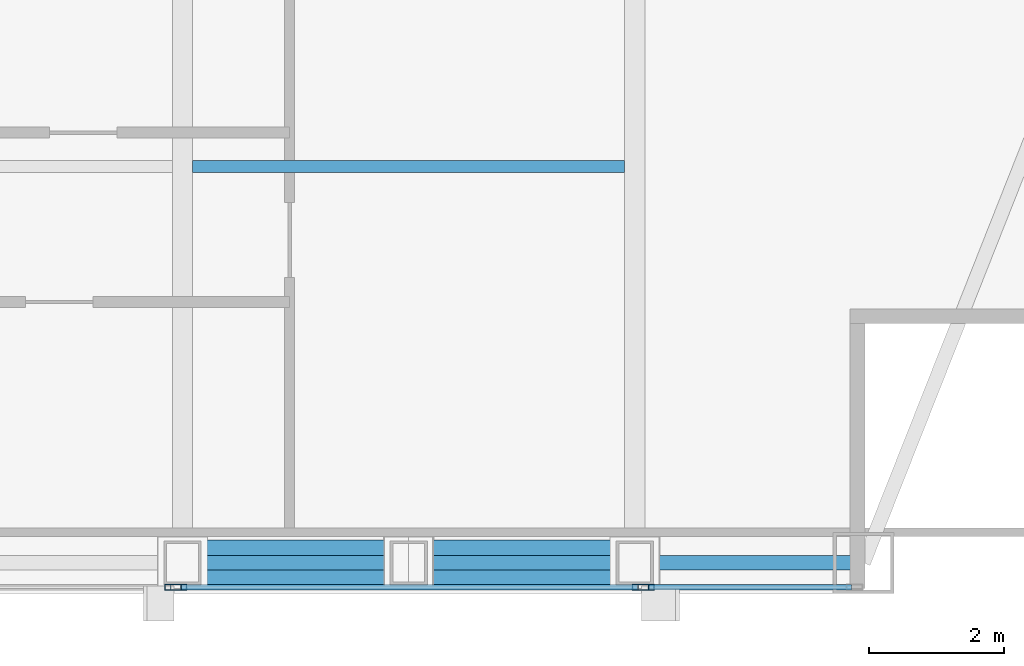
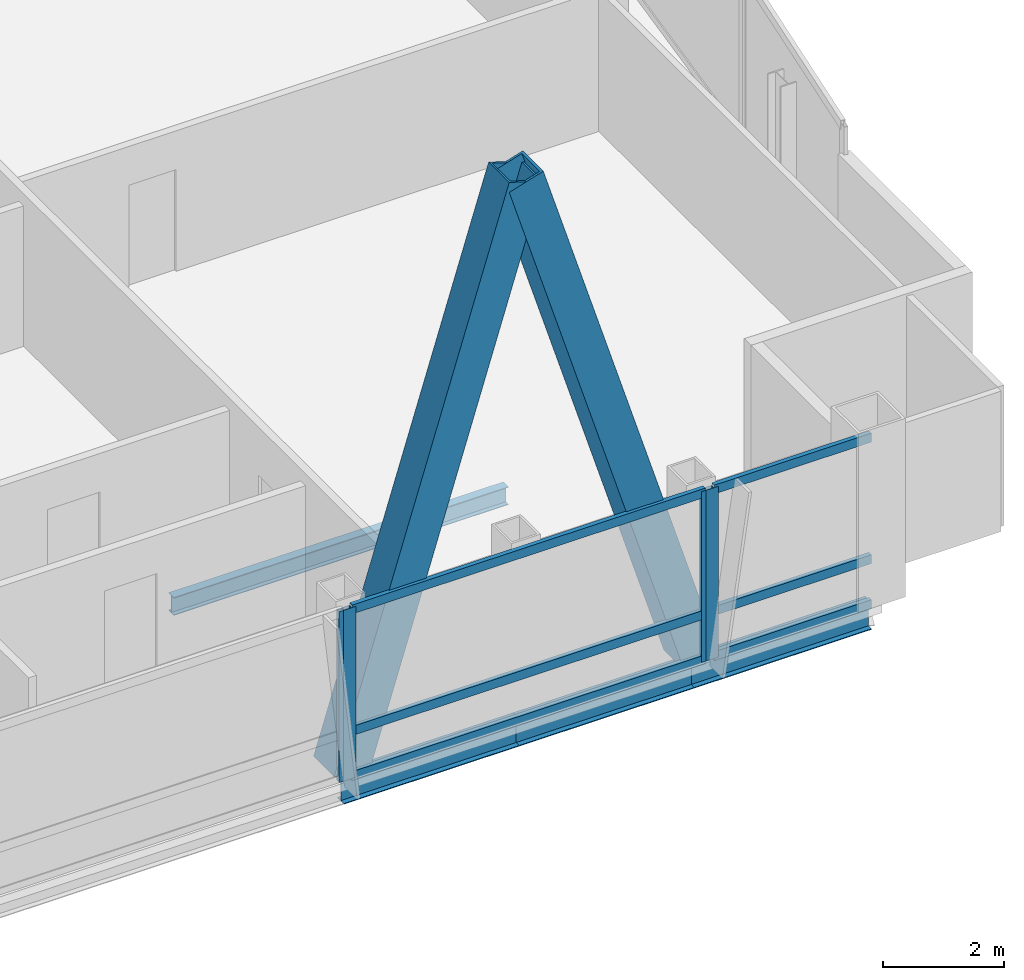
# One storey, part 13 of 29: 12 members, 4 beams, 3 elements without a shape of their own.
"""IFC4 building model written with IfcOpenShell, lengths in metres."""

import ifcopenshell
import ifcopenshell.guid

model = None  # the IFC model being written
_history = None  # IfcOwnerHistory: only IFC2X3 demands one
_inside = {}  # id of a spatial element -> (the spatial element, [elements in it])
_under = {}  # id of a project, library or spatial element -> (it, [spatial elements below it])
_declared = {}  # id of a project -> (the project, [libraries it declares])
_typed = {}  # id of a type object -> (the type object, [elements of that type])
_made_of = {}  # id of a material, layer set ... -> (it, [elements and type objects made of it])


def new_model(schema):
    """Start an empty IFC model of exactly this schema.

    Asked for "IFC4X3", IfcOpenShell would pick the latest addendum, in which some entities
    have other attributes; the version numbers below select the first issue.
    IFC2X3 requires an IfcOwnerHistory on every rooted entity: one is made here for all.
    """
    global model, _history
    if schema == "IFC4X3":
        model = ifcopenshell.file(schema_version=(4, 3, 0, 0))
    else:
        model = ifcopenshell.file(schema=schema)
    _inside.clear()
    _under.clear()
    _declared.clear()
    _typed.clear()
    _made_of.clear()
    _history = None
    if model.schema == "IFC2X3":
        org = make("IfcOrganization", Name="unknown")
        user = make(
            "IfcPersonAndOrganization",
            ThePerson=make("IfcPerson", FamilyName="unknown"),
            TheOrganization=org,
        )
        app = make(
            "IfcApplication",
            ApplicationDeveloper=org,
            Version="unknown",
            ApplicationFullName="unknown",
            ApplicationIdentifier="unknown",
        )
        _history = make(
            "IfcOwnerHistory",
            OwningUser=user,
            OwningApplication=app,
            ChangeAction="ADDED",
            CreationDate=0,
        )
    return model


def make(cls, **values):
    """One entity of the class cls with the attributes given. An attribute that is None is left unset."""
    return model.create_entity(
        cls, **{name: value for name, value in values.items() if value is not None}
    )


def rooted(cls, **values):
    """An entity with a GlobalId (a new one), such as an element, a storey or a relation."""
    return make(cls, GlobalId=ifcopenshell.guid.new(), OwnerHistory=_history, **values)


def si_unit(unit_type, name, prefix=None):
    """IfcSIUnit, for example si_unit("LENGTHUNIT", "METRE", prefix="MILLI")."""
    return make("IfcSIUnit", UnitType=unit_type, Prefix=prefix, Name=name)


def assignment(units):
    """IfcUnitAssignment: the units of a project."""
    return None if units is None else make("IfcUnitAssignment", Units=units)


def point(xyz):
    """IfcCartesianPoint."""
    return None if xyz is None else make("IfcCartesianPoint", Coordinates=xyz)


def direction(xyz):
    """IfcDirection."""
    return None if xyz is None else make("IfcDirection", DirectionRatios=xyz)


def frame(location, z_axis=None, x_axis=None):
    """IfcAxis2Placement3D, a coordinate frame: its origin and axes. An axis left out is left unset."""
    return make(
        "IfcAxis2Placement3D",
        Location=point(location),
        Axis=direction(z_axis),
        RefDirection=direction(x_axis),
    )


def frame_2d(location, x_axis=None):
    """IfcAxis2Placement2D, a coordinate frame in the plane: its origin and x axis."""
    return make(
        "IfcAxis2Placement2D", Location=point(location), RefDirection=direction(x_axis)
    )


def origin():
    """The frame at (0, 0, 0) with its axes left unset."""
    return frame((0.0, 0.0, 0.0))


def origin_2d():
    """The frame at (0, 0) in the plane with its x axis left unset."""
    return frame_2d((0.0, 0.0))


def place(relative_to, where):
    """IfcLocalPlacement: puts the frame where relative to a parent placement (None: the world)."""
    return make(
        "IfcLocalPlacement", PlacementRelTo=relative_to, RelativePlacement=where
    )


def context(
    kind, dimensions, precision=None, world=None, true_north=None, identifier=None
):
    """IfcGeometricRepresentationContext, for example the 3D "Model" context."""
    return make(
        "IfcGeometricRepresentationContext",
        ContextIdentifier=identifier,
        ContextType=kind,
        CoordinateSpaceDimension=dimensions,
        Precision=precision,
        WorldCoordinateSystem=world,
        TrueNorth=true_north,
    )


def subcontext(parent, identifier, kind, view, scale=None):
    """IfcGeometricRepresentationSubContext, for example "Body" below "Model"."""
    return make(
        "IfcGeometricRepresentationSubContext",
        ContextIdentifier=identifier,
        ContextType=kind,
        ParentContext=parent,
        TargetScale=scale,
        TargetView=view,
    )


def project(units=None, contexts=None):
    """IfcProject with its units and contexts."""
    return rooted(
        "IfcProject",
        Name="project",
        RepresentationContexts=contexts,
        UnitsInContext=assignment(units),
    )


def spatial(cls, under=None, at=None, **own):
    """A site, building, storey or space (cls), placed at a placement, below another one or the project."""
    s = rooted(cls, ObjectPlacement=at, **own)
    if under is not None:
        _under.setdefault(under.id(), (under, []))[1].append(s)
    return s


def profile(cls, at=None, kind="AREA", **sizes):
    """A parametric profile (cls). Its sizes go by their IFC names, for example OverallWidth=200.0."""
    return make(cls, ProfileType=kind, Position=at, **sizes)


def hollow_rectangle(**sizes):
    """IfcRectangleHollowProfileDef."""
    return profile("IfcRectangleHollowProfileDef", **sizes)


def i_section(**sizes):
    """IfcIShapeProfileDef."""
    return profile("IfcIShapeProfileDef", **sizes)


def extrude(swept, where, along, depth):
    """IfcExtrudedAreaSolid: the profile swept, set in the frame where, extruded along a direction by depth."""
    return make(
        "IfcExtrudedAreaSolid",
        SweptArea=swept,
        Position=where,
        ExtrudedDirection=direction(along),
        Depth=depth,
    )


def shape(context_of_items, identifier, shape_type, items):
    """IfcShapeRepresentation: the items that make up one representation, for example the "Body"."""
    return make(
        "IfcShapeRepresentation",
        ContextOfItems=context_of_items,
        RepresentationIdentifier=identifier,
        RepresentationType=shape_type,
        Items=items,
    )


def material(Name=None, Category=None):
    """IfcMaterial."""
    return make("IfcMaterial", Name=Name, Category=Category)


def material_profile(
    of_material, cross_section, Name=None, Category=None, Priority=None
):
    """IfcMaterialProfile: a cross section and its material."""
    return make(
        "IfcMaterialProfile",
        Name=Name,
        Material=of_material,
        Profile=cross_section,
        Priority=Priority,
        Category=Category,
    )


def profile_set(profiles, Name=None, composite=None):
    """IfcMaterialProfileSet."""
    return make(
        "IfcMaterialProfileSet",
        Name=Name,
        MaterialProfiles=profiles,
        CompositeProfile=composite,
    )


def made_of(thing, what):
    """Note that an element or type object is made of a material, layer set ...; save() writes the relation."""
    if what is not None:
        _made_of.setdefault(what.id(), (what, []))[1].append(thing)
    return thing


def type_object(cls, material=None, **own):
    """A type object (cls), such as IfcWallType, which elements share."""
    return made_of(rooted(cls, **own), material)


def element(
    cls,
    number,
    at=None,
    inside=None,
    cuts=None,
    type_object=None,
    material=None,
    context=None,
    identifier="Body",
    shape_type=None,
    held_by="IfcProductDefinitionShape",
    body=None,
    shapes=None,
    **own,
):
    """One element of the class cls, such as IfcWall. Its Tag is "e" and its number.

    at: its placement. inside: the storey or other place that contains it. cuts: it is an
    opening in that element (IfcRelVoidsElement). A single representation is given by context,
    identifier, shape_type and body (its items); several are given by shapes. held_by: the class
    of the entity that holds the representations. save() writes the other relations.
    """
    e = rooted(cls, Tag="e%d" % number, ObjectPlacement=at, **own)
    if body is not None:
        shapes = [shape(context, identifier, shape_type, body)]
    if shapes is not None:
        e.Representation = make(held_by, Representations=shapes)
    if inside is not None:
        _inside.setdefault(inside.id(), (inside, []))[1].append(e)
    if cuts is not None:
        rooted(
            "IfcRelVoidsElement", RelatingBuildingElement=cuts, RelatedOpeningElement=e
        )
    if type_object is not None:
        _typed.setdefault(type_object.id(), (type_object, []))[1].append(e)
    return made_of(e, material)


def aggregate(whole, parts):
    """IfcRelAggregates: a whole, such as a stair, and the parts it consists of."""
    return rooted("IfcRelAggregates", RelatingObject=whole, RelatedObjects=parts)


def save(model, path):
    """Write the relations noted so far, then the file.

    IfcRelAggregates (storeys below a building ...), IfcRelContainedInSpatialStructure (elements
    in a storey), IfcRelDefinesByType, IfcRelAssociatesMaterial and IfcRelDeclares: one each for
    every whole, place, type object, material and project.
    """
    for whole, parts in _under.values():
        aggregate(whole, parts)
    for where, things in _inside.values():
        rooted(
            "IfcRelContainedInSpatialStructure",
            RelatedElements=things,
            RelatingStructure=where,
        )
    for kind, things in _typed.values():
        rooted("IfcRelDefinesByType", RelatedObjects=things, RelatingType=kind)
    for what, things in _made_of.values():
        rooted("IfcRelAssociatesMaterial", RelatedObjects=things, RelatingMaterial=what)
    for by, libraries in _declared.values():
        rooted("IfcRelDeclares", RelatingContext=by, RelatedDefinitions=libraries)
    model.write(path)


model = new_model("IFC4")

# Units and contexts
model_context = context("Model", 3, precision=1e-05, world=origin(), true_north=direction((0.0, 1.0)))
body_context = subcontext(model_context, "Body", "Model", "MODEL_VIEW")
ifc_project = project(units=[si_unit("LENGTHUNIT", "METRE"), si_unit("AREAUNIT", "SQUARE_METRE"), si_unit("VOLUMEUNIT", "CUBIC_METRE"), si_unit("PLANEANGLEUNIT", "RADIAN"), si_unit("MASSUNIT", "GRAM", prefix="KILO")], contexts=[model_context])

# Site, building, storey
site_placement = place(None, origin())
site = spatial("IfcSite", under=ifc_project, at=site_placement, CompositionType="ELEMENT")
building_placement = place(site_placement, origin())
building = spatial("IfcBuilding", under=site, at=building_placement, Name="Khoronbel Lancet Exchange", CompositionType="ELEMENT")
storey_placement = place(building_placement, frame((0.0, 0.0, 336.199951171875)))
storey = spatial("IfcBuildingStorey", under=building, at=storey_placement, Name="L87", CompositionType="ELEMENT", Elevation=336.199951171875)

# Beams
ifc_material_1 = material(Name="Steel S355", Category="steel")
ifc_material_profile_1 = material_profile(ifc_material_1, i_section(OverallWidth=0.169921875, OverallDepth=0.360107421875, WebThickness=0.008056640625, FlangeThickness=0.0126953125, at=origin_2d()), Name="IPE 360")
ifc_profile_set_1 = profile_set([ifc_material_profile_1], Name="Steel S355")
beam_type_1 = type_object("IfcBeamType", Name="BM-BJ6", PredefinedType="JOIST", material=ifc_profile_set_1)
beam_1_placement = place(storey_placement, frame((48.14990234375, 16.0, -0.33984375), z_axis=(1.0, 0.0, 0.0), x_axis=(0.0, 1.0, 0.0)))
element("IfcBeam", 1, at=beam_1_placement, inside=storey, type_object=beam_type_1, Name="Level L87 secondary composite joist J03", PredefinedType="JOIST", context=body_context, shape_type="SweptSolid", body=[
    extrude(i_section(OverallWidth=0.169921875, OverallDepth=0.360107421875, WebThickness=0.008056640625, FlangeThickness=0.0126953125, at=origin_2d()), origin(), (0.0, 0.0, 1.0), 6.375),
])
ifc_material_profile_2 = material_profile(ifc_material_1, i_section(OverallWidth=0.2099609375, OverallDepth=0.550048828125, WebThickness=0.010986328125, FlangeThickness=0.01708984375, at=origin_2d()), Name="IPE 550")
ifc_profile_set_2 = profile_set([ifc_material_profile_2], Name="Steel S355")
beam_type_2 = type_object("IfcBeamType", Name="BM-BSP3", PredefinedType="SPANDREL", material=ifc_profile_set_2)
beam_2_placement = place(storey_placement, frame((48.0, 10.14990234375, -0.43505859375), z_axis=(1.0, 0.0, 0.0), x_axis=(0.0, 1.0, 0.0)))
element("IfcBeam", 2, at=beam_2_placement, inside=storey, type_object=beam_type_2, Name="Level L87 perimeter spandrel beam SP05", PredefinedType="SPANDREL", context=body_context, shape_type="SweptSolid", body=[
    extrude(i_section(OverallWidth=0.2099609375, OverallDepth=0.550048828125, WebThickness=0.010986328125, FlangeThickness=0.01708984375, at=origin_2d()), origin(), (0.0, 0.0, 1.0), 3.33740234375),
])
beam_3_placement = place(storey_placement, frame((51.33740234375, 10.14990234375, -0.43505859375), z_axis=(1.0, 0.0, 0.0), x_axis=(0.0, 1.0, 0.0)))
element("IfcBeam", 3, at=beam_3_placement, inside=storey, type_object=beam_type_2, Name="Level L87 perimeter spandrel beam SP06", PredefinedType="SPANDREL", context=body_context, shape_type="SweptSolid", body=[
    extrude(i_section(OverallWidth=0.2099609375, OverallDepth=0.550048828125, WebThickness=0.010986328125, FlangeThickness=0.01708984375, at=origin_2d()), origin(), (0.0, 0.0, 1.0), 3.337646484375),
])
beam_4_placement = place(storey_placement, frame((54.675048828125, 10.14990234375, -0.43505859375), z_axis=(1.0, 0.0, 0.0), x_axis=(0.0, 1.0, 0.0)))
element("IfcBeam", 4, at=beam_4_placement, inside=storey, type_object=beam_type_2, Name="Level L87 perimeter spandrel beam SP07", PredefinedType="SPANDREL", context=body_context, shape_type="SweptSolid", body=[
    extrude(i_section(OverallWidth=0.2099609375, OverallDepth=0.550048828125, WebThickness=0.010986328125, FlangeThickness=0.01708984375, at=origin_2d()), origin(), (0.0, 0.0, 1.0), 3.375),
])

# Curtain wall, member
ifc_material_2 = material(Name="Low-E Solar Control Insulating Glass", Category="glass")
curtain_wall_type = type_object("IfcCurtainWallType", Name="CW-3", PredefinedType="NOTDEFINED", material=ifc_material_2)
curtain_wall_1_placement = place(storey_placement, origin())
curtain_wall_1 = element("IfcCurtainWall", 5, at=curtain_wall_1_placement, inside=storey, type_object=curtain_wall_type, Name="Unitised curtain wall CW-L87-SCV", PredefinedType="NOTDEFINED")
ifc_material_3 = material(Name="Bronze-Anodised Aluminium 6063-T6", Category="aluminium")
ifc_material_profile_3 = material_profile(ifc_material_3, hollow_rectangle(XDim=0.0849609375, YDim=0.239990234375, WallThickness=0.006103515625, at=origin_2d()), Name="ALU MULLION 85x240")
ifc_profile_set_3 = profile_set([ifc_material_profile_3], Name="Bronze-Anodised Aluminium 6063-T6")
member_type_1 = type_object("IfcMemberType", Name="MEM-CWM1", PredefinedType="MULLION", material=ifc_profile_set_3)
member_1_placement = place(storey_placement, frame((47.857421875, 9.7900390625, 0.0), z_axis=(0.0, 0.0, 1.0), x_axis=(0.0, 1.0, 0.0)))
member_1 = element("IfcMember", 6, at=member_1_placement, type_object=member_type_1, Name="CW3 mullion 3", PredefinedType="MULLION", context=body_context, shape_type="SweptSolid", body=[
    extrude(hollow_rectangle(XDim=0.0849609375, YDim=0.239990234375, WallThickness=0.006103515625, at=origin_2d()), origin(), (0.0, 0.0, 1.0), 3.43994140625),
])
aggregate(curtain_wall_1, [member_1])

# Curtain wall, members
curtain_wall_2_placement = place(storey_placement, origin())
curtain_wall_2 = element("IfcCurtainWall", 7, at=curtain_wall_2_placement, inside=storey, type_object=curtain_wall_type, Name="Unitised curtain wall CW-L87-SEB", PredefinedType="NOTDEFINED")
member_2_placement = place(storey_placement, frame((47.9423828125, 9.7900390625, 0.0), z_axis=(0.0, 0.0, 1.0), x_axis=(0.0, 1.0, 0.0)))
member_2 = element("IfcMember", 8, at=member_2_placement, type_object=member_type_1, Name="CW3 mullion 1", PredefinedType="MULLION", context=body_context, shape_type="SweptSolid", body=[
    extrude(hollow_rectangle(XDim=0.0849609375, YDim=0.239990234375, WallThickness=0.006103515625, at=origin_2d()), origin(), (0.0, 0.0, 1.0), 3.43994140625),
])
member_3_placement = place(storey_placement, frame((54.757568359375, 9.7900390625, 0.0), z_axis=(0.0, 0.0, 1.0), x_axis=(0.0, 1.0, 0.0)))
member_3 = element("IfcMember", 9, at=member_3_placement, type_object=member_type_1, Name="CW3 mullion 2", PredefinedType="MULLION", context=body_context, shape_type="SweptSolid", body=[
    extrude(hollow_rectangle(XDim=0.0849609375, YDim=0.239990234375, WallThickness=0.006103515625, at=origin_2d()), origin(), (0.0, 0.0, 1.0), 3.43994140625),
])

# Curtain wall, member
curtain_wall_3_placement = place(storey_placement, origin())
curtain_wall_3 = element("IfcCurtainWall", 10, at=curtain_wall_3_placement, inside=storey, type_object=curtain_wall_type, Name="Unitised curtain wall CW-L87-SEV", PredefinedType="NOTDEFINED")
member_4_placement = place(storey_placement, frame((54.842529296875, 9.7900390625, 0.0), z_axis=(0.0, 0.0, 1.0), x_axis=(0.0, 1.0, 0.0)))
member_4 = element("IfcMember", 11, at=member_4_placement, type_object=member_type_1, Name="CW3 mullion 1", PredefinedType="MULLION", context=body_context, shape_type="SweptSolid", body=[
    extrude(hollow_rectangle(XDim=0.0849609375, YDim=0.239990234375, WallThickness=0.006103515625, at=origin_2d()), origin(), (0.0, 0.0, 1.0), 3.43994140625),
])

# Member
ifc_material_profile_4 = material_profile(ifc_material_3, hollow_rectangle(XDim=0.0849609375, YDim=0.179931640625, WallThickness=0.0048828125, at=origin_2d()), Name="ALU TRANSOM 85x180")
ifc_profile_set_4 = profile_set([ifc_material_profile_4], Name="Bronze-Anodised Aluminium 6063-T6")
member_type_2 = type_object("IfcMemberType", Name="MEM-CWT1", PredefinedType="USERDEFINED", material=ifc_profile_set_4)
member_5_placement = place(storey_placement, frame((47.985107421875, 9.7900390625, 0.04248046875), z_axis=(1.0, 0.0, 0.0), x_axis=(0.0, 1.0, 0.0)))
member_5 = element("IfcMember", 12, at=member_5_placement, type_object=member_type_2, Name="CW3 transom 1.1", ObjectType="TRANSOM", PredefinedType="USERDEFINED", context=body_context, shape_type="SweptSolid", body=[
    extrude(hollow_rectangle(XDim=0.0849609375, YDim=0.179931640625, WallThickness=0.0048828125, at=origin_2d()), origin(), (0.0, 0.0, 1.0), 6.72998046875),
])

member_6_placement = place(storey_placement, frame((47.985107421875, 9.7900390625, 0.949951171875), z_axis=(1.0, 0.0, 0.0), x_axis=(0.0, 1.0, 0.0)))
member_6 = element("IfcMember", 13, at=member_6_placement, type_object=member_type_2, Name="CW3 transom 1.2", ObjectType="TRANSOM", PredefinedType="USERDEFINED", context=body_context, shape_type="SweptSolid", body=[
    extrude(hollow_rectangle(XDim=0.0849609375, YDim=0.179931640625, WallThickness=0.0048828125, at=origin_2d()), origin(), (0.0, 0.0, 1.0), 6.72998046875),
])

member_7_placement = place(storey_placement, frame((47.985107421875, 9.7900390625, 3.3974609375), z_axis=(1.0, 0.0, 0.0), x_axis=(0.0, 1.0, 0.0)))
member_7 = element("IfcMember", 14, at=member_7_placement, type_object=member_type_2, Name="CW3 transom 1.3", ObjectType="TRANSOM", PredefinedType="USERDEFINED", context=body_context, shape_type="SweptSolid", body=[
    extrude(hollow_rectangle(XDim=0.0849609375, YDim=0.179931640625, WallThickness=0.0048828125, at=origin_2d()), origin(), (0.0, 0.0, 1.0), 6.72998046875),
])

aggregate(curtain_wall_2, [member_2, member_3, member_5, member_6, member_7])

member_8_placement = place(storey_placement, frame((54.885009765625, 9.7900390625, 0.04248046875), z_axis=(1.0, 0.0, 0.0), x_axis=(0.0, 1.0, 0.0)))
member_8 = element("IfcMember", 15, at=member_8_placement, type_object=member_type_2, Name="CW3 transom 1.1", ObjectType="TRANSOM", PredefinedType="USERDEFINED", context=body_context, shape_type="SweptSolid", body=[
    extrude(hollow_rectangle(XDim=0.0849609375, YDim=0.179931640625, WallThickness=0.0048828125, at=origin_2d()), origin(), (0.0, 0.0, 1.0), 2.989990234375),
])

member_9_placement = place(storey_placement, frame((54.885009765625, 9.7900390625, 0.949951171875), z_axis=(1.0, 0.0, 0.0), x_axis=(0.0, 1.0, 0.0)))
member_9 = element("IfcMember", 16, at=member_9_placement, type_object=member_type_2, Name="CW3 transom 1.2", ObjectType="TRANSOM", PredefinedType="USERDEFINED", context=body_context, shape_type="SweptSolid", body=[
    extrude(hollow_rectangle(XDim=0.0849609375, YDim=0.179931640625, WallThickness=0.0048828125, at=origin_2d()), origin(), (0.0, 0.0, 1.0), 2.989990234375),
])

member_10_placement = place(storey_placement, frame((54.885009765625, 9.7900390625, 3.3974609375), z_axis=(1.0, 0.0, 0.0), x_axis=(0.0, 1.0, 0.0)))
member_10 = element("IfcMember", 17, at=member_10_placement, type_object=member_type_2, Name="CW3 transom 1.3", ObjectType="TRANSOM", PredefinedType="USERDEFINED", context=body_context, shape_type="SweptSolid", body=[
    extrude(hollow_rectangle(XDim=0.0849609375, YDim=0.179931640625, WallThickness=0.0048828125, at=origin_2d()), origin(), (0.0, 0.0, 1.0), 2.989990234375),
])

aggregate(curtain_wall_3, [member_4, member_8, member_9, member_10])

# Members
ifc_material_4 = material(Name="Steel S460", Category="steel")
ifc_material_profile_5 = material_profile(ifc_material_4, hollow_rectangle(XDim=0.679931640625, YDim=0.679931640625, WallThickness=0.044921875, at=origin_2d()), Name="BOX 680x680x45")
ifc_profile_set_5 = profile_set([ifc_material_profile_5], Name="Steel S460")
member_type_3 = type_object("IfcMemberType", Name="MEM-MB3", PredefinedType="BRACE", material=ifc_profile_set_5)
for number, where, z_axis, x_axis, name in (
    (18, (48.0, 10.14990234375, 0.0), (0.295242108906, 0.0, 0.955422470496), (0.0, 1.0, 0.0), "Perimeter lancet brace tier 30 S-E-L"),
    (19, (54.675048828125, 10.14990234375, 0.0), (-0.295261823895, 0.0, 0.955416378), (0.0, -1.0, 0.0), "Perimeter lancet brace tier 30 S-E-R"),
):
    element("IfcMember", number, at=place(storey_placement, frame(where, z_axis=z_axis, x_axis=x_axis)), inside=storey, type_object=member_type_3, Name=name, PredefinedType="BRACE", context=body_context, shape_type="SweptSolid", body=[
        extrude(hollow_rectangle(XDim=0.679931640625, YDim=0.679931640625, WallThickness=0.044921875, at=origin_2d()), origin(), (0.0, 0.0, 1.0), 11.303955078125),
    ])

save(model, "model.ifc")
